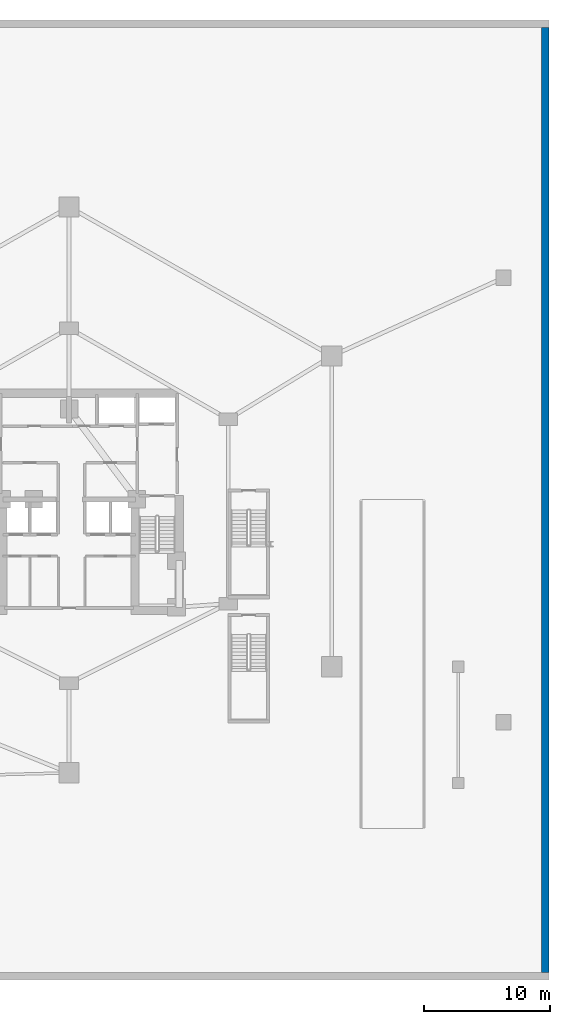
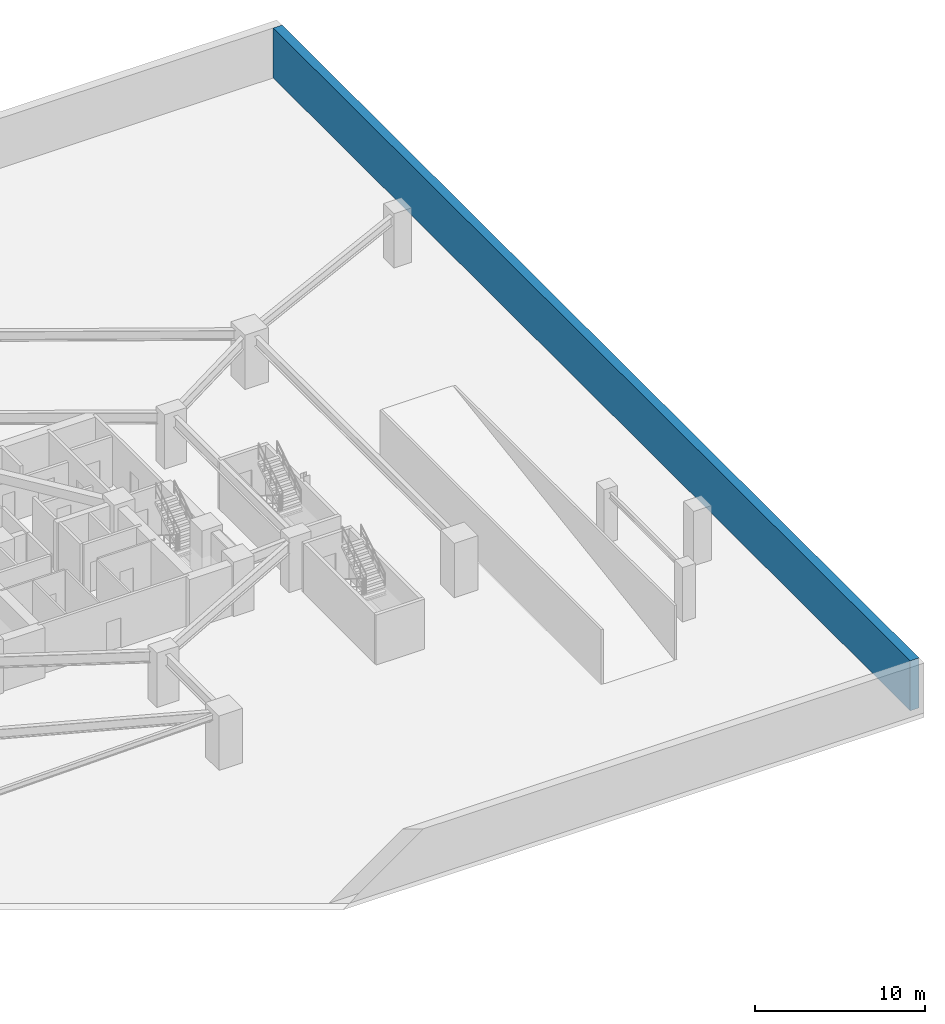
# One storey, part 8 of 12: 1 wall.
"""IFC4 building model written with IfcOpenShell, lengths in metres."""

import ifcopenshell
import ifcopenshell.guid

model = None  # the IFC model being written
_history = None  # IfcOwnerHistory: only IFC2X3 demands one
_inside = {}  # id of a spatial element -> (the spatial element, [elements in it])
_under = {}  # id of a project, library or spatial element -> (it, [spatial elements below it])
_declared = {}  # id of a project -> (the project, [libraries it declares])
_typed = {}  # id of a type object -> (the type object, [elements of that type])
_made_of = {}  # id of a material, layer set ... -> (it, [elements and type objects made of it])


def new_model(schema):
    """Start an empty IFC model of exactly this schema.

    Asked for "IFC4X3", IfcOpenShell would pick the latest addendum, in which some entities
    have other attributes; the version numbers below select the first issue.
    IFC2X3 requires an IfcOwnerHistory on every rooted entity: one is made here for all.
    """
    global model, _history
    if schema == "IFC4X3":
        model = ifcopenshell.file(schema_version=(4, 3, 0, 0))
    else:
        model = ifcopenshell.file(schema=schema)
    _inside.clear()
    _under.clear()
    _declared.clear()
    _typed.clear()
    _made_of.clear()
    _history = None
    if model.schema == "IFC2X3":
        org = make("IfcOrganization", Name="unknown")
        user = make(
            "IfcPersonAndOrganization",
            ThePerson=make("IfcPerson", FamilyName="unknown"),
            TheOrganization=org,
        )
        app = make(
            "IfcApplication",
            ApplicationDeveloper=org,
            Version="unknown",
            ApplicationFullName="unknown",
            ApplicationIdentifier="unknown",
        )
        _history = make(
            "IfcOwnerHistory",
            OwningUser=user,
            OwningApplication=app,
            ChangeAction="ADDED",
            CreationDate=0,
        )
    return model


def make(cls, **values):
    """One entity of the class cls with the attributes given. An attribute that is None is left unset."""
    return model.create_entity(
        cls, **{name: value for name, value in values.items() if value is not None}
    )


def rooted(cls, **values):
    """An entity with a GlobalId (a new one), such as an element, a storey or a relation."""
    return make(cls, GlobalId=ifcopenshell.guid.new(), OwnerHistory=_history, **values)


def si_unit(unit_type, name, prefix=None):
    """IfcSIUnit, for example si_unit("LENGTHUNIT", "METRE", prefix="MILLI")."""
    return make("IfcSIUnit", UnitType=unit_type, Prefix=prefix, Name=name)


def assignment(units):
    """IfcUnitAssignment: the units of a project."""
    return None if units is None else make("IfcUnitAssignment", Units=units)


def point(xyz):
    """IfcCartesianPoint."""
    return None if xyz is None else make("IfcCartesianPoint", Coordinates=xyz)


def direction(xyz):
    """IfcDirection."""
    return None if xyz is None else make("IfcDirection", DirectionRatios=xyz)


def frame(location, z_axis=None, x_axis=None):
    """IfcAxis2Placement3D, a coordinate frame: its origin and axes. An axis left out is left unset."""
    return make(
        "IfcAxis2Placement3D",
        Location=point(location),
        Axis=direction(z_axis),
        RefDirection=direction(x_axis),
    )


def frame_2d(location, x_axis=None):
    """IfcAxis2Placement2D, a coordinate frame in the plane: its origin and x axis."""
    return make(
        "IfcAxis2Placement2D", Location=point(location), RefDirection=direction(x_axis)
    )


def origin():
    """The frame at (0, 0, 0) with its axes left unset."""
    return frame((0.0, 0.0, 0.0))


def place(relative_to, where):
    """IfcLocalPlacement: puts the frame where relative to a parent placement (None: the world)."""
    return make(
        "IfcLocalPlacement", PlacementRelTo=relative_to, RelativePlacement=where
    )


def context(
    kind, dimensions, precision=None, world=None, true_north=None, identifier=None
):
    """IfcGeometricRepresentationContext, for example the 3D "Model" context."""
    return make(
        "IfcGeometricRepresentationContext",
        ContextIdentifier=identifier,
        ContextType=kind,
        CoordinateSpaceDimension=dimensions,
        Precision=precision,
        WorldCoordinateSystem=world,
        TrueNorth=true_north,
    )


def subcontext(parent, identifier, kind, view, scale=None):
    """IfcGeometricRepresentationSubContext, for example "Body" below "Model"."""
    return make(
        "IfcGeometricRepresentationSubContext",
        ContextIdentifier=identifier,
        ContextType=kind,
        ParentContext=parent,
        TargetScale=scale,
        TargetView=view,
    )


def project(units=None, contexts=None):
    """IfcProject with its units and contexts."""
    return rooted(
        "IfcProject",
        Name="project",
        RepresentationContexts=contexts,
        UnitsInContext=assignment(units),
    )


def spatial(cls, under=None, at=None, **own):
    """A site, building, storey or space (cls), placed at a placement, below another one or the project."""
    s = rooted(cls, ObjectPlacement=at, **own)
    if under is not None:
        _under.setdefault(under.id(), (under, []))[1].append(s)
    return s


def profile(cls, at=None, kind="AREA", **sizes):
    """A parametric profile (cls). Its sizes go by their IFC names, for example OverallWidth=200.0."""
    return make(cls, ProfileType=kind, Position=at, **sizes)


def rectangle(**sizes):
    """IfcRectangleProfileDef."""
    return profile("IfcRectangleProfileDef", **sizes)


def extrude(swept, where, along, depth):
    """IfcExtrudedAreaSolid: the profile swept, set in the frame where, extruded along a direction by depth."""
    return make(
        "IfcExtrudedAreaSolid",
        SweptArea=swept,
        Position=where,
        ExtrudedDirection=direction(along),
        Depth=depth,
    )


def shape(context_of_items, identifier, shape_type, items):
    """IfcShapeRepresentation: the items that make up one representation, for example the "Body"."""
    return make(
        "IfcShapeRepresentation",
        ContextOfItems=context_of_items,
        RepresentationIdentifier=identifier,
        RepresentationType=shape_type,
        Items=items,
    )


def material(Name=None, Category=None):
    """IfcMaterial."""
    return make("IfcMaterial", Name=Name, Category=Category)


def layer(
    of_material, thickness, ventilated=None, Name=None, Category=None, Priority=None
):
    """IfcMaterialLayer: one layer of a wall or slab, of a material (None: an air gap)."""
    return make(
        "IfcMaterialLayer",
        Material=of_material,
        LayerThickness=thickness,
        IsVentilated=ventilated,
        Name=Name,
        Category=Category,
        Priority=Priority,
    )


def layer_set(layers, Name=None):
    """IfcMaterialLayerSet."""
    return make("IfcMaterialLayerSet", MaterialLayers=layers, LayerSetName=Name)


def made_of(thing, what):
    """Note that an element or type object is made of a material, layer set ...; save() writes the relation."""
    if what is not None:
        _made_of.setdefault(what.id(), (what, []))[1].append(thing)
    return thing


def type_object(cls, material=None, **own):
    """A type object (cls), such as IfcWallType, which elements share."""
    return made_of(rooted(cls, **own), material)


def element(
    cls,
    number,
    at=None,
    inside=None,
    cuts=None,
    type_object=None,
    material=None,
    context=None,
    identifier="Body",
    shape_type=None,
    held_by="IfcProductDefinitionShape",
    body=None,
    shapes=None,
    **own,
):
    """One element of the class cls, such as IfcWall. Its Tag is "e" and its number.

    at: its placement. inside: the storey or other place that contains it. cuts: it is an
    opening in that element (IfcRelVoidsElement). A single representation is given by context,
    identifier, shape_type and body (its items); several are given by shapes. held_by: the class
    of the entity that holds the representations. save() writes the other relations.
    """
    e = rooted(cls, Tag="e%d" % number, ObjectPlacement=at, **own)
    if body is not None:
        shapes = [shape(context, identifier, shape_type, body)]
    if shapes is not None:
        e.Representation = make(held_by, Representations=shapes)
    if inside is not None:
        _inside.setdefault(inside.id(), (inside, []))[1].append(e)
    if cuts is not None:
        rooted(
            "IfcRelVoidsElement", RelatingBuildingElement=cuts, RelatedOpeningElement=e
        )
    if type_object is not None:
        _typed.setdefault(type_object.id(), (type_object, []))[1].append(e)
    return made_of(e, material)


def aggregate(whole, parts):
    """IfcRelAggregates: a whole, such as a stair, and the parts it consists of."""
    return rooted("IfcRelAggregates", RelatingObject=whole, RelatedObjects=parts)


def save(model, path):
    """Write the relations noted so far, then the file.

    IfcRelAggregates (storeys below a building ...), IfcRelContainedInSpatialStructure (elements
    in a storey), IfcRelDefinesByType, IfcRelAssociatesMaterial and IfcRelDeclares: one each for
    every whole, place, type object, material and project.
    """
    for whole, parts in _under.values():
        aggregate(whole, parts)
    for where, things in _inside.values():
        rooted(
            "IfcRelContainedInSpatialStructure",
            RelatedElements=things,
            RelatingStructure=where,
        )
    for kind, things in _typed.values():
        rooted("IfcRelDefinesByType", RelatedObjects=things, RelatingType=kind)
    for what, things in _made_of.values():
        rooted("IfcRelAssociatesMaterial", RelatedObjects=things, RelatingMaterial=what)
    for by, libraries in _declared.values():
        rooted("IfcRelDeclares", RelatingContext=by, RelatedDefinitions=libraries)
    model.write(path)


model = new_model("IFC4")

# Units and contexts
model_context = context("Model", 3, precision=1e-05, world=origin(), true_north=direction((0.0, 1.0)))
body_context = subcontext(model_context, "Body", "Model", "MODEL_VIEW")
ifc_project = project(units=[si_unit("LENGTHUNIT", "METRE"), si_unit("AREAUNIT", "SQUARE_METRE"), si_unit("VOLUMEUNIT", "CUBIC_METRE"), si_unit("PLANEANGLEUNIT", "RADIAN"), si_unit("MASSUNIT", "GRAM", prefix="KILO")], contexts=[model_context])

# Site, building, storey
site_placement = place(None, origin())
site = spatial("IfcSite", under=ifc_project, at=site_placement, CompositionType="ELEMENT")
building_placement = place(site_placement, origin())
building = spatial("IfcBuilding", under=site, at=building_placement, Name="Miruveldt Soraemaru", CompositionType="ELEMENT")
storey_placement = place(building_placement, frame((0.0, 0.0, -11.699951171875)))
storey = spatial("IfcBuildingStorey", under=building, at=storey_placement, Name="B3", CompositionType="ELEMENT", Elevation=-11.699951171875)

# Wall
ifc_material = material(Name="Concrete C50/60 (50 MPa)", Category="concrete")
ifc_layer = layer(ifc_material, 0.60009765625, Name="Concrete C50/60 (50 MPa)", Category="concrete")
ifc_layer_set = layer_set([ifc_layer], Name="Concrete C50/60 (50 MPa)")
wall_type = type_object("IfcWallType", Name="WALL-RET-600", PredefinedType="SOLIDWALL", material=ifc_layer_set)
wall_placement = place(storey_placement, frame((81.699951171875, 6.60009765625, 0.0), z_axis=(0.0, 0.0, 1.0), x_axis=(0.0, 1.0, 0.0)))
element("IfcWall", 1, at=wall_placement, inside=storey, type_object=wall_type, Name="B3 Perimeter Slurry Retaining Wall E", PredefinedType="SOLIDWALL", context=body_context, shape_type="SweptSolid", body=[
    extrude(rectangle(XDim=74.7998046875, YDim=0.60009765625, at=frame_2d((37.39990234375, 0.0))), origin(), (0.0, 0.0, 1.0), 3.579833984375),
])

save(model, "model.ifc")
